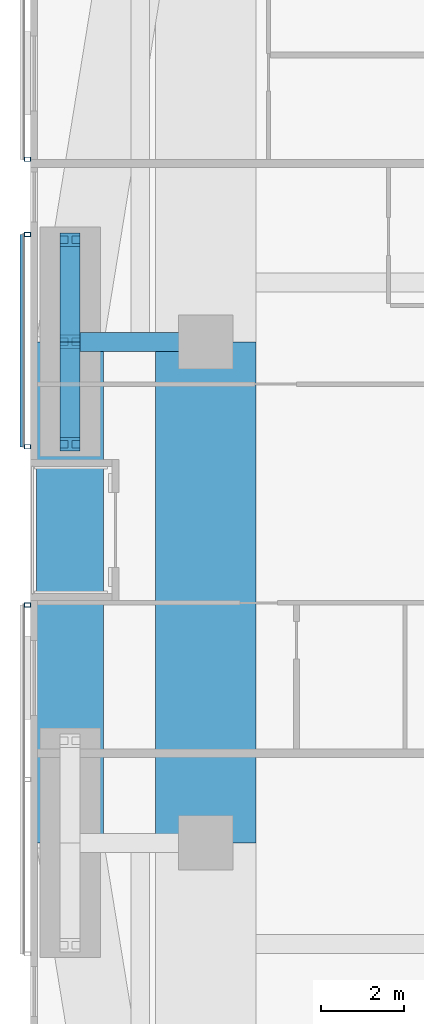
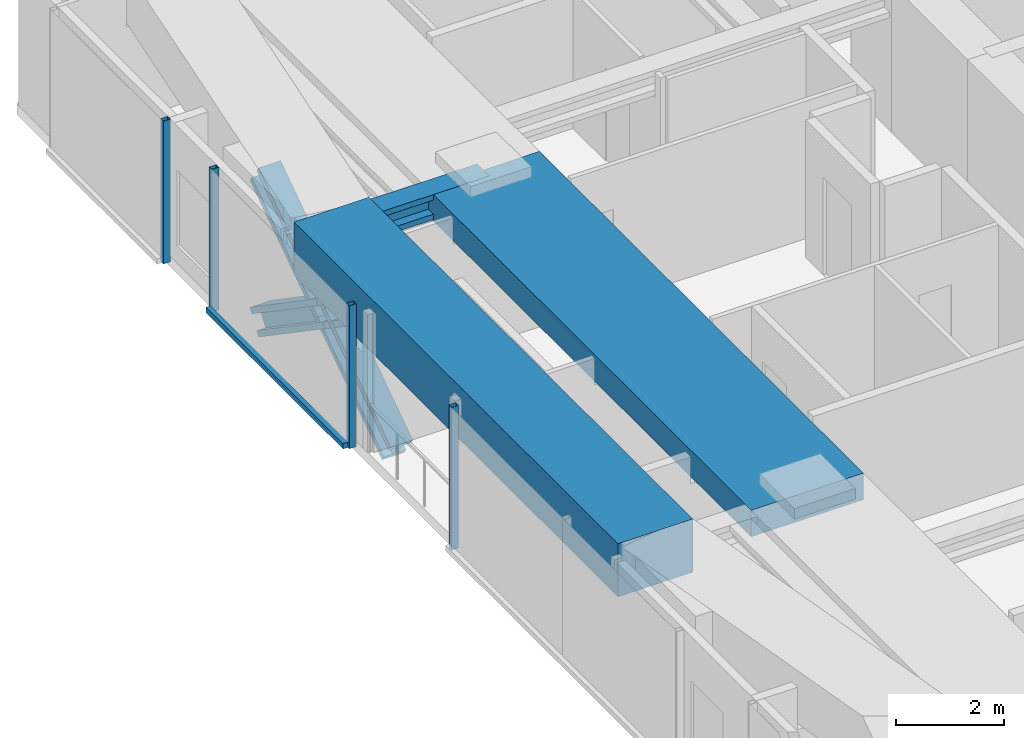
# One storey, part 6 of 24: 9 members, 3 beams, 3 elements without a shape of their own.
"""IFC4 building model written with IfcOpenShell, lengths in metres."""

from ifc_helpers import new_model, si_unit, direction, frame, origin, origin_2d, place, context, subcontext, project, spatial, rectangle, hollow_rectangle, i_section, extrude, material, material_profile, profile_set, type_object, element, aggregate, save


model = new_model("IFC4")

# Units and contexts
model_context = context("Model", 3, precision=1e-05, world=origin(), true_north=direction((0.0, 1.0)))
body_context = subcontext(model_context, "Body", "Model", "MODEL_VIEW")
ifc_project = project(units=[si_unit("LENGTHUNIT", "METRE"), si_unit("AREAUNIT", "SQUARE_METRE"), si_unit("VOLUMEUNIT", "CUBIC_METRE"), si_unit("PLANEANGLEUNIT", "RADIAN"), si_unit("MASSUNIT", "GRAM", prefix="KILO")], contexts=[model_context])

# Site, building, storey
site_placement = place(None, origin())
site = spatial("IfcSite", under=ifc_project, at=site_placement, CompositionType="ELEMENT")
building_placement = place(site_placement, origin())
building = spatial("IfcBuilding", under=site, at=building_placement, Name="Jalousie Tower", CompositionType="ELEMENT")
storey_placement = place(building_placement, frame((0.0, 0.0, 128.300048828125)))
storey = spatial("IfcBuildingStorey", under=building, at=storey_placement, Name="L35", CompositionType="ELEMENT", Elevation=128.300048828125)

# Beam
ifc_material_1 = material(Name="Steel ASTM A992 Grade 50", Category="steel")
ifc_material_profile_1 = material_profile(ifc_material_1, i_section(OverallWidth=0.45458984375, OverallDepth=0.569091796875, WebThickness=0.077880859375, FlangeThickness=0.124755859375, at=origin_2d()), Name="W14X730")
ifc_profile_set_1 = profile_set([ifc_material_profile_1], Name="Steel ASTM A992 Grade 50")
beam_type_1 = type_object("IfcBeamType", Name="LEAN COLLECTOR W14X730", PredefinedType="BEAM", material=ifc_profile_set_1)
beam_1_placement = place(storey_placement, frame((6.949951171875, 25.0, 2.825439453125), z_axis=(1.0, 0.0, 0.0), x_axis=(0.0, 1.0, 0.0)))
element("IfcBeam", 1, at=beam_1_placement, inside=storey, type_object=beam_type_1, Name="Lean collector under L36", PredefinedType="BEAM", context=body_context, shape_type="SweptSolid", body=[
    extrude(i_section(OverallWidth=0.45458984375, OverallDepth=0.569091796875, WebThickness=0.077880859375, FlangeThickness=0.124755859375, at=origin_2d()), origin(), (0.0, 0.0, 1.0), 3.25),
])

# Members
ifc_material_2 = material(Name="Steel ASTM A992 Grade 50", Category="steel")
ifc_material_profile_2 = material_profile(ifc_material_2, i_section(OverallWidth=0.472412109375, OverallDepth=0.5791015625, WebThickness=0.094970703125, FlangeThickness=0.1298828125, at=origin_2d()), Name="W14X808")
ifc_profile_set_2 = profile_set([ifc_material_profile_2], Name="Steel ASTM A992 Grade 50")
member_type_1 = type_object("IfcMemberType", Name="PERIMETER BRACE W14X808", PredefinedType="BRACE", material=ifc_profile_set_2)
for number, where, z_axis, x_axis, name in (
    (2, (6.949951171875, 22.550048828125, -0.60009765625), (0.0, 0.825500916831, 0.564400776321), (-1.0, 0.0, 0.0), "Perimeter brace 13 L35 part 1"),
    (3, (6.949951171875, 25.0, 1.074951171875), (0.0, 0.825500916831, 0.564400776321), (-1.0, 0.0, 0.0), "Perimeter brace 13 L35 part 2"),
    (4, (6.949951171875, 27.449951171875, -0.60009765625), (0.0, -0.825500916831, 0.564400776321), (1.0, 0.0, 0.0), "Perimeter brace 13 L35 part 3"),
    (5, (6.949951171875, 25.0, 1.074951171875), (0.0, -0.825500916831, 0.564400776321), (1.0, 0.0, 0.0), "Perimeter brace 13 L35 part 4"),
):
    element("IfcMember", number, at=place(storey_placement, frame(where, z_axis=z_axis, x_axis=x_axis)), inside=storey, type_object=member_type_1, Name=name, PredefinedType="BRACE", context=body_context, shape_type="SweptSolid", body=[
        extrude(i_section(OverallWidth=0.472412109375, OverallDepth=0.5791015625, WebThickness=0.094970703125, FlangeThickness=0.1298828125, at=origin_2d()), origin(), (0.0, 0.0, 1.0), 2.9677734375),
    ])

# Beams
ifc_material_3 = material(Name="Concrete f'c 40 MPa", Category="concrete")
ifc_material_profile_3 = material_profile(ifc_material_3, rectangle(XDim=1.60009765625, YDim=1.199951171875, at=origin_2d()), Name="RC 1600x1200")
ifc_profile_set_3 = profile_set([ifc_material_profile_3], Name="Concrete f'c 40 MPa")
beam_type_2 = type_object("IfcBeamType", Name="RC BEAM 1600x1200", PredefinedType="BEAM", material=ifc_profile_set_3)
beam_2_placement = place(storey_placement, frame((6.949951171875, 25.0, 2.75), z_axis=(0.0, -1.0, 0.0), x_axis=(1.0, 0.0, 0.0)))
element("IfcBeam", 6, at=beam_2_placement, inside=storey, type_object=beam_type_2, Name="Edge band beam 13-14 under L36", PredefinedType="BEAM", context=body_context, shape_type="SweptSolid", body=[
    extrude(rectangle(XDim=1.60009765625, YDim=1.199951171875, at=origin_2d()), origin(), (0.0, 0.0, 1.0), 12.0),
])
ifc_material_4 = material(Name="Concrete f'c 40 MPa", Category="concrete")
ifc_material_profile_4 = material_profile(ifc_material_4, rectangle(XDim=2.39990234375, YDim=0.60009765625, at=origin_2d()), Name="RC 2400x600")
ifc_profile_set_4 = profile_set([ifc_material_profile_4], Name="Concrete f'c 40 MPa")
beam_type_3 = type_object("IfcBeamType", Name="RC BEAM 2400x600", PredefinedType="BEAM", material=ifc_profile_set_4)
beam_3_placement = place(storey_placement, frame((10.199951171875, 13.0, 2.81005859375), z_axis=(0.0, 1.0, 0.0), x_axis=(-1.0, 0.0, 0.0)))
element("IfcBeam", 7, at=beam_3_placement, inside=storey, type_object=beam_type_3, Name="Floor band beam under L36", PredefinedType="BEAM", context=body_context, shape_type="SweptSolid", body=[
    extrude(rectangle(XDim=2.39990234375, YDim=0.60009765625, at=origin_2d()), origin(), (0.0, 0.0, 1.0), 12.0),
])

# Curtain wall, member
ifc_material_5 = material(Name="Perforated aluminium sheet", Category="aluminium")
curtain_wall_type = type_object("IfcCurtainWallType", Name="SOLAR SCREEN SS-1", PredefinedType="USERDEFINED", material=ifc_material_5)
curtain_wall_1_placement = place(storey_placement, origin())
curtain_wall_1 = element("IfcCurtainWall", 8, at=curtain_wall_1_placement, inside=storey, type_object=curtain_wall_type, Name="Solar screen L35", ObjectType="SOLAR SCREEN SS-1", PredefinedType="USERDEFINED")
ifc_material_6 = material(Name="Steel ASTM A500 Grade C", Category="steel")
ifc_material_profile_5 = material_profile(ifc_material_6, hollow_rectangle(XDim=0.1015625, YDim=0.15234375, WallThickness=0.00634765625, at=origin_2d()), Name="HSS6X4X1/4")
ifc_profile_set_5 = profile_set([ifc_material_profile_5], Name="Steel ASTM A500 Grade C")
member_type_2 = type_object("IfcMemberType", Name="SOLAR SCREEN SS-1 MULLION", PredefinedType="MULLION", material=ifc_profile_set_5)
member_1_placement = place(storey_placement, frame((5.9287109375, 29.375, -0.1201171875), z_axis=(0.0, 0.0, 1.0), x_axis=(0.0, -1.0, 0.0)))
member_1 = element("IfcMember", 9, at=member_1_placement, type_object=member_type_2, Name="SS1 post 2", PredefinedType="MULLION", context=body_context, shape_type="SweptSolid", body=[
    extrude(hollow_rectangle(XDim=0.1015625, YDim=0.15234375, WallThickness=0.00634765625, at=origin_2d()), origin(), (0.0, 0.0, 1.0), 3.22998046875),
])
aggregate(curtain_wall_1, [member_1])

# Curtain wall, members
curtain_wall_2_placement = place(storey_placement, origin())
curtain_wall_2 = element("IfcCurtainWall", 10, at=curtain_wall_2_placement, inside=storey, type_object=curtain_wall_type, Name="Solar screen L35", ObjectType="SOLAR SCREEN SS-1", PredefinedType="USERDEFINED")
member_2_placement = place(storey_placement, frame((5.9287109375, 27.574951171875, -0.1201171875), z_axis=(0.0, 0.0, 1.0), x_axis=(0.0, -1.0, 0.0)))
member_2 = element("IfcMember", 11, at=member_2_placement, type_object=member_type_2, Name="SS1 post 1", PredefinedType="MULLION", context=body_context, shape_type="SweptSolid", body=[
    extrude(hollow_rectangle(XDim=0.1015625, YDim=0.15234375, WallThickness=0.00634765625, at=origin_2d()), origin(), (0.0, 0.0, 1.0), 3.22998046875),
])
member_3_placement = place(storey_placement, frame((5.9287109375, 22.487548828125, -0.1201171875), z_axis=(0.0, 0.0, 1.0), x_axis=(0.0, -1.0, 0.0)))
member_3 = element("IfcMember", 12, at=member_3_placement, type_object=member_type_2, Name="SS1 post 2", PredefinedType="MULLION", context=body_context, shape_type="SweptSolid", body=[
    extrude(hollow_rectangle(XDim=0.1015625, YDim=0.15234375, WallThickness=0.00634765625, at=origin_2d()), origin(), (0.0, 0.0, 1.0), 3.22998046875),
])

# Curtain wall, member
curtain_wall_3_placement = place(storey_placement, origin())
curtain_wall_3 = element("IfcCurtainWall", 13, at=curtain_wall_3_placement, inside=storey, type_object=curtain_wall_type, Name="Solar screen L35", ObjectType="SOLAR SCREEN SS-1", PredefinedType="USERDEFINED")
member_4_placement = place(storey_placement, frame((5.9287109375, 18.699951171875, -0.1201171875), z_axis=(0.0, 0.0, 1.0), x_axis=(0.0, -1.0, 0.0)))
member_4 = element("IfcMember", 14, at=member_4_placement, type_object=member_type_2, Name="SS1 post 1", PredefinedType="MULLION", context=body_context, shape_type="SweptSolid", body=[
    extrude(hollow_rectangle(XDim=0.1015625, YDim=0.15234375, WallThickness=0.00634765625, at=origin_2d()), origin(), (0.0, 0.0, 1.0), 3.22998046875),
])
aggregate(curtain_wall_3, [member_4])

# Member
ifc_material_7 = material(Name="Extruded aluminium screen rail", Category="aluminium")
ifc_material_profile_6 = material_profile(ifc_material_7, rectangle(XDim=0.1015625, YDim=0.1201171875, at=origin_2d()), Name="RAIL 102x120")
ifc_profile_set_6 = profile_set([ifc_material_profile_6], Name="Extruded aluminium screen rail")
member_type_3 = type_object("IfcMemberType", Name="SOLAR SCREEN SS-1 TRANSOM", PredefinedType="USERDEFINED", material=ifc_profile_set_6)
member_5_placement = place(storey_placement, frame((5.8017578125, 27.574951171875, -0.06005859375), z_axis=(0.0, -1.0, 0.0), x_axis=(1.0, 0.0, 0.0)))
member_5 = element("IfcMember", 15, at=member_5_placement, type_object=member_type_3, Name="SS1 rail", ObjectType="TRANSOM", PredefinedType="USERDEFINED", context=body_context, shape_type="SweptSolid", body=[
    extrude(rectangle(XDim=0.1015625, YDim=0.1201171875, at=origin_2d()), origin(), (0.0, 0.0, 1.0), 5.08740234375),
])

aggregate(curtain_wall_2, [member_2, member_3, member_5])

save(model, "model.ifc")
